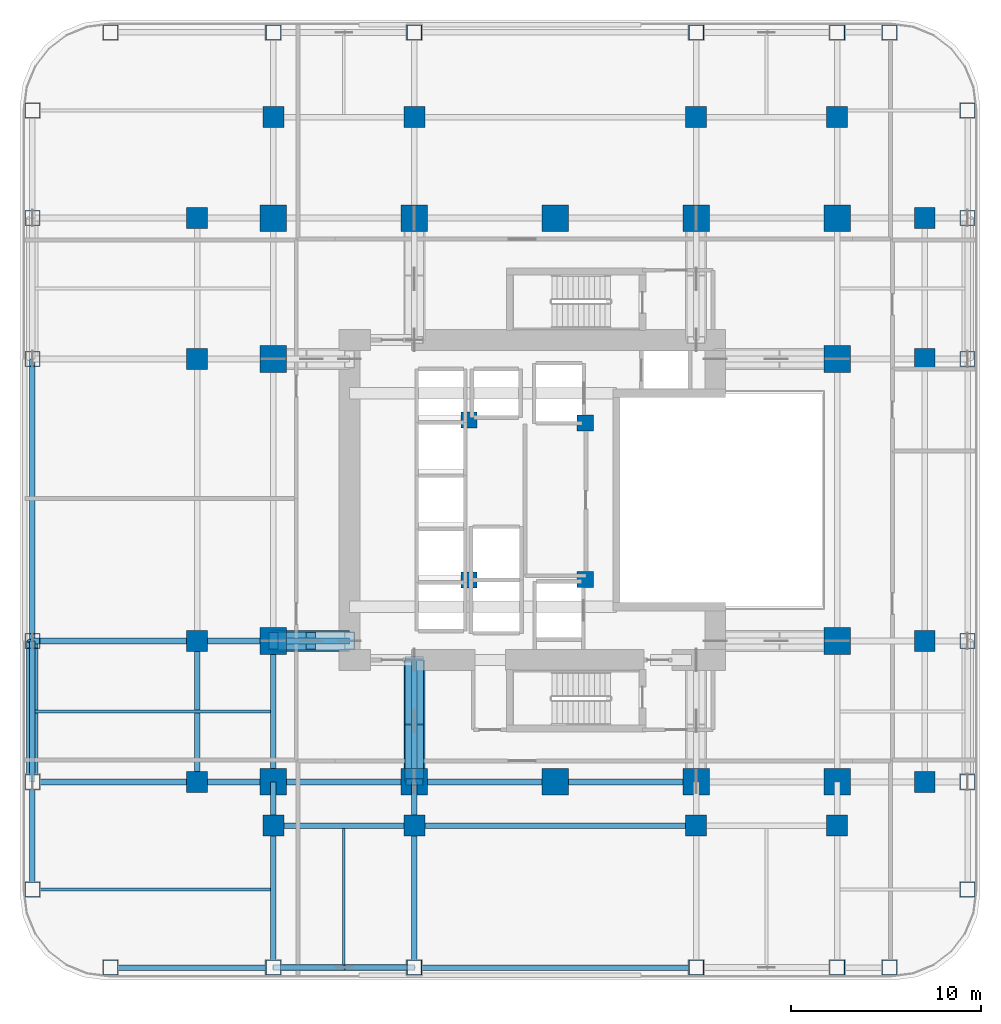
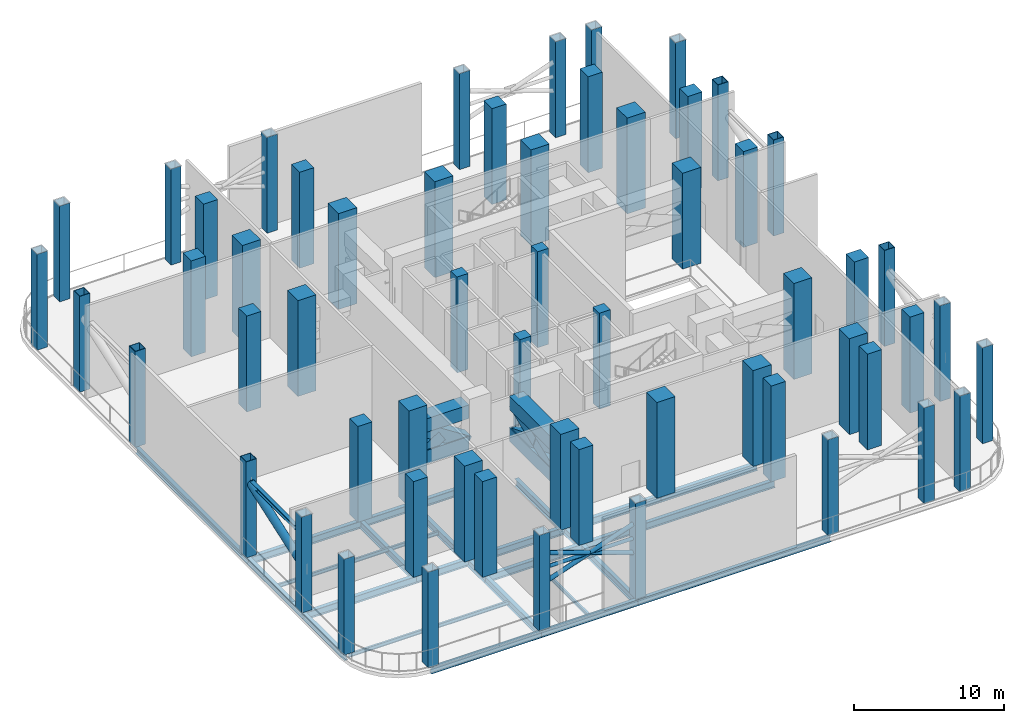
# One storey, part 1 of 11: 58 columns, 26 beams, 15 members.
"""IFC4 building model written with IfcOpenShell, lengths in metres."""

from ifc_helpers import new_model, si_unit, direction, frame, origin, origin_2d, place, context, subcontext, project, spatial, rectangle, hollow_rectangle, hollow_circle, i_section, extrude, material, material_profile, profile_set, type_object, element, save


model = new_model("IFC4")

# Units and contexts
model_context = context("Model", 3, precision=1e-05, world=origin(), true_north=direction((0.0, 1.0)))
body_context = subcontext(model_context, "Body", "Model", "MODEL_VIEW")
ifc_project = project(units=[si_unit("LENGTHUNIT", "METRE"), si_unit("AREAUNIT", "SQUARE_METRE"), si_unit("VOLUMEUNIT", "CUBIC_METRE"), si_unit("PLANEANGLEUNIT", "RADIAN"), si_unit("MASSUNIT", "GRAM", prefix="KILO")], contexts=[model_context])

# Site, building, storey
site_placement = place(None, origin())
site = spatial("IfcSite", under=ifc_project, at=site_placement, CompositionType="ELEMENT")
building_placement = place(site_placement, origin())
building = spatial("IfcBuilding", under=site, at=building_placement, Name="Khorvyn Point Tower", CompositionType="ELEMENT")
storey_placement = place(building_placement, frame((0.0, 0.0, 77.39990234375)))
storey = spatial("IfcBuildingStorey", under=building, at=storey_placement, Name="L20", CompositionType="ELEMENT", Elevation=77.39990234375)

# Columns
ifc_material_1 = material(Name="Concrete C40/50", Category="concrete")
ifc_material_profile_1 = material_profile(ifc_material_1, rectangle(XDim=0.85009765625, YDim=0.85009765625, at=origin_2d()))
ifc_profile_set_1 = profile_set([ifc_material_profile_1], Name="Concrete C40/50 RC850x850")
column_type_1 = type_object("IfcColumnType", Name="Concrete C40/50 Column RC850x850", PredefinedType="COLUMN", material=ifc_profile_set_1)
for number, where, z_axis, x_axis, name in (
    (1, (-4.52001953125, -4.199951171875, 0.0), (0.0, 0.0, 1.0), (1.0, 0.0, 0.0), "L20 Crown Core Spine Column 1"),
    (2, (1.580078125, -4.179931640625, 0.0), (0.0, 0.0, 1.0), (1.0, 0.0, 0.0), "L20 Crown Core Spine Column 2"),
    (3, (1.580078125, 4.050048828125, 0.0), (0.0, 0.0, 1.0), (1.0, 0.0, 0.0), "L20 Crown Core Spine Column 3"),
    (4, (-4.52001953125, 4.199951171875, 0.0), (0.0, 0.0, 1.0), (1.0, 0.0, 0.0), "L20 Crown Core Spine Column 4"),
):
    element("IfcColumn", number, at=place(storey_placement, frame(where, z_axis=z_axis, x_axis=x_axis)), inside=storey, type_object=column_type_1, Name=name, PredefinedType="COLUMN", context=body_context, shape_type="SweptSolid", body=[
        extrude(rectangle(XDim=0.85009765625, YDim=0.85009765625, at=origin_2d()), origin(), (0.0, 0.0, 1.0), 7.800048828125),
    ])
ifc_material_2 = material(Name="Concrete C45/55", Category="concrete")
ifc_material_profile_2 = material_profile(ifc_material_2, rectangle(XDim=1.10009765625, YDim=1.10009765625, at=origin_2d()))
ifc_profile_set_2 = profile_set([ifc_material_profile_2], Name="Concrete C45/55 RC1100x1100")
column_type_2 = type_object("IfcColumnType", Name="Concrete C45/55 Column RC1100x1100", PredefinedType="COLUMN", material=ifc_profile_set_2)
for number, where, z_axis, x_axis, name in (
    (5, (-18.800048828125, -14.800048828125, 0.0), (0.0, 0.0, 1.0), (1.0, 0.0, 0.0), "L20 Intermediate Column ICW--14"),
    (6, (-18.800048828125, -7.39990234375, 0.0), (0.0, 0.0, 1.0), (1.0, 0.0, 0.0), "L20 Intermediate Column ICW--7"),
    (7, (-18.800048828125, 7.39990234375, 0.0), (0.0, 0.0, 1.0), (1.0, 0.0, 0.0), "L20 Intermediate Column ICW-7"),
    (8, (-18.800048828125, 14.800048828125, 0.0), (0.0, 0.0, 1.0), (1.0, 0.0, 0.0), "L20 Intermediate Column ICW-14"),
    (9, (19.39990234375, -14.800048828125, 0.0), (0.0, 0.0, 1.0), (1.0, 0.0, 0.0), "L20 Intermediate Column ICE--14"),
    (10, (19.39990234375, -7.39990234375, 0.0), (0.0, 0.0, 1.0), (1.0, 0.0, 0.0), "L20 Intermediate Column ICE--7"),
    (11, (19.39990234375, 7.39990234375, 0.0), (0.0, 0.0, 1.0), (1.0, 0.0, 0.0), "L20 Intermediate Column ICE-7"),
    (12, (19.39990234375, 14.800048828125, 0.0), (0.0, 0.0, 1.0), (1.0, 0.0, 0.0), "L20 Intermediate Column ICE-14"),
    (13, (-14.800048828125, -17.10009765625, 0.0), (0.0, 0.0, 1.0), (1.0, 0.0, 0.0), "L20 Intermediate Column ICS--14"),
    (14, (-7.39990234375, -17.10009765625, 0.0), (0.0, 0.0, 1.0), (1.0, 0.0, 0.0), "L20 Intermediate Column ICS--7"),
    (15, (7.39990234375, -17.10009765625, 0.0), (0.0, 0.0, 1.0), (1.0, 0.0, 0.0), "L20 Intermediate Column ICS-7"),
    (16, (14.800048828125, -17.10009765625, 0.0), (0.0, 0.0, 1.0), (1.0, 0.0, 0.0), "L20 Intermediate Column ICS-14"),
    (17, (-14.800048828125, 20.10009765625, 0.0), (0.0, 0.0, 1.0), (1.0, 0.0, 0.0), "L20 Intermediate Column ICN--14"),
    (18, (-7.39990234375, 20.10009765625, 0.0), (0.0, 0.0, 1.0), (1.0, 0.0, 0.0), "L20 Intermediate Column ICN--7"),
    (19, (7.39990234375, 20.10009765625, 0.0), (0.0, 0.0, 1.0), (1.0, 0.0, 0.0), "L20 Intermediate Column ICN-7"),
    (20, (14.800048828125, 20.10009765625, 0.0), (0.0, 0.0, 1.0), (1.0, 0.0, 0.0), "L20 Intermediate Column ICN-14"),
):
    element("IfcColumn", number, at=place(storey_placement, frame(where, z_axis=z_axis, x_axis=x_axis)), inside=storey, type_object=column_type_2, Name=name, PredefinedType="COLUMN", context=body_context, shape_type="SweptSolid", body=[
        extrude(rectangle(XDim=1.10009765625, YDim=1.10009765625, at=origin_2d()), origin(), (0.0, 0.0, 1.0), 7.800048828125),
    ])
ifc_material_3 = material(Name="Concrete C50/60", Category="concrete")
ifc_material_profile_3 = material_profile(ifc_material_3, rectangle(XDim=1.39990234375, YDim=1.39990234375, at=origin_2d()))
ifc_profile_set_3 = profile_set([ifc_material_profile_3], Name="Concrete C50/60 RC1400x1400")
column_type_3 = type_object("IfcColumnType", Name="Concrete C50/60 Column RC1400x1400", PredefinedType="COLUMN", material=ifc_profile_set_3)
for number, where, z_axis, x_axis, name in (
    (21, (-14.800048828125, -14.800048828125, 0.0), (0.0, 0.0, 1.0), (1.0, 0.0, 0.0), "L20 Mega-Column MC-01"),
    (22, (-7.39990234375, -14.800048828125, 0.0), (0.0, 0.0, 1.0), (1.0, 0.0, 0.0), "L20 Mega-Column MC-02"),
    (23, (0.0, -14.800048828125, 0.0), (0.0, 0.0, 1.0), (1.0, 0.0, 0.0), "L20 Mega-Column MC-03"),
    (24, (7.39990234375, -14.800048828125, 0.0), (0.0, 0.0, 1.0), (1.0, 0.0, 0.0), "L20 Mega-Column MC-04"),
    (25, (14.800048828125, -14.800048828125, 0.0), (0.0, 0.0, 1.0), (1.0, 0.0, 0.0), "L20 Mega-Column MC-05"),
    (26, (-14.800048828125, 14.800048828125, 0.0), (0.0, 0.0, 1.0), (1.0, 0.0, 0.0), "L20 Mega-Column MC-06"),
    (27, (-7.39990234375, 14.800048828125, 0.0), (0.0, 0.0, 1.0), (1.0, 0.0, 0.0), "L20 Mega-Column MC-07"),
    (28, (0.0, 14.800048828125, 0.0), (0.0, 0.0, 1.0), (1.0, 0.0, 0.0), "L20 Mega-Column MC-08"),
    (29, (7.39990234375, 14.800048828125, 0.0), (0.0, 0.0, 1.0), (1.0, 0.0, 0.0), "L20 Mega-Column MC-09"),
    (30, (14.800048828125, 14.800048828125, 0.0), (0.0, 0.0, 1.0), (1.0, 0.0, 0.0), "L20 Mega-Column MC-10"),
    (31, (-14.800048828125, -7.39990234375, 0.0), (0.0, 0.0, 1.0), (1.0, 0.0, 0.0), "L20 Mega-Column MC-11"),
    (32, (-14.800048828125, 7.39990234375, 0.0), (0.0, 0.0, 1.0), (1.0, 0.0, 0.0), "L20 Mega-Column MC-12"),
    (33, (14.800048828125, -7.39990234375, 0.0), (0.0, 0.0, 1.0), (1.0, 0.0, 0.0), "L20 Mega-Column MC-13"),
    (34, (14.800048828125, 7.39990234375, 0.0), (0.0, 0.0, 1.0), (1.0, 0.0, 0.0), "L20 Mega-Column MC-14"),
):
    element("IfcColumn", number, at=place(storey_placement, frame(where, z_axis=z_axis, x_axis=x_axis)), inside=storey, type_object=column_type_3, Name=name, PredefinedType="COLUMN", context=body_context, shape_type="SweptSolid", body=[
        extrude(rectangle(XDim=1.39990234375, YDim=1.39990234375, at=origin_2d()), origin(), (0.0, 0.0, 1.0), 7.800048828125),
    ])
ifc_material_4 = material(Name="Steel S450", Category="steel")
ifc_material_profile_4 = material_profile(ifc_material_4, hollow_rectangle(XDim=0.800048828125, YDim=0.800048828125, WallThickness=0.035888671875, at=origin_2d()))
ifc_profile_set_4 = profile_set([ifc_material_profile_4], Name="Steel S450 BOX800x800x36")
column_type_4 = type_object("IfcColumnType", Name="Steel S450 Structural Column BOX800x800x36", PredefinedType="COLUMN", material=ifc_profile_set_4)
for number, where, z_axis, x_axis, name in (
    (35, (-23.35009765625, -24.550048828125, 0.0), (0.0, 0.0, 1.0), (1.0, 0.0, 0.0), "L20 Perimeter Tube Column TC-01"),
    (36, (17.550048828125, -24.550048828125, 0.0), (0.0, 0.0, 1.0), (1.0, 0.0, 0.0), "L20 Perimeter Tube Column TC-02"),
    (37, (-23.35009765625, 24.550048828125, 0.0), (0.0, 0.0, 1.0), (1.0, 0.0, 0.0), "L20 Perimeter Tube Column TC-03"),
    (38, (17.550048828125, 24.550048828125, 0.0), (0.0, 0.0, 1.0), (1.0, 0.0, 0.0), "L20 Perimeter Tube Column TC-04"),
    (39, (-27.449951171875, -20.449951171875, 0.0), (0.0, 0.0, 1.0), (1.0, 0.0, 0.0), "L20 Perimeter Tube Column TC-05"),
    (40, (-27.449951171875, 20.449951171875, 0.0), (0.0, 0.0, 1.0), (1.0, 0.0, 0.0), "L20 Perimeter Tube Column TC-06"),
    (41, (21.64990234375, -20.449951171875, 0.0), (0.0, 0.0, 1.0), (1.0, 0.0, 0.0), "L20 Perimeter Tube Column TC-07"),
    (42, (21.64990234375, 20.449951171875, 0.0), (0.0, 0.0, 1.0), (1.0, 0.0, 0.0), "L20 Perimeter Tube Column TC-08"),
    (43, (-14.800048828125, -24.550048828125, 0.0), (0.0, 0.0, 1.0), (1.0, 0.0, 0.0), "L20 Perimeter Tube Column TC-09"),
    (44, (-14.800048828125, 24.550048828125, 0.0), (0.0, 0.0, 1.0), (1.0, 0.0, 0.0), "L20 Perimeter Tube Column TC-10"),
    (45, (-7.39990234375, -24.550048828125, 0.0), (0.0, 0.0, 1.0), (1.0, 0.0, 0.0), "L20 Perimeter Tube Column TC-11"),
    (46, (-7.39990234375, 24.550048828125, 0.0), (0.0, 0.0, 1.0), (1.0, 0.0, 0.0), "L20 Perimeter Tube Column TC-12"),
    (47, (7.39990234375, -24.550048828125, 0.0), (0.0, 0.0, 1.0), (1.0, 0.0, 0.0), "L20 Perimeter Tube Column TC-13"),
    (48, (7.39990234375, 24.550048828125, 0.0), (0.0, 0.0, 1.0), (1.0, 0.0, 0.0), "L20 Perimeter Tube Column TC-14"),
    (49, (14.800048828125, -24.550048828125, 0.0), (0.0, 0.0, 1.0), (1.0, 0.0, 0.0), "L20 Perimeter Tube Column TC-15"),
    (50, (14.800048828125, 24.550048828125, 0.0), (0.0, 0.0, 1.0), (1.0, 0.0, 0.0), "L20 Perimeter Tube Column TC-16"),
    (51, (-27.449951171875, -14.800048828125, 0.0), (0.0, 0.0, 1.0), (1.0, 0.0, 0.0), "L20 Perimeter Tube Column TC-17"),
    (52, (21.64990234375, -14.800048828125, 0.0), (0.0, 0.0, 1.0), (1.0, 0.0, 0.0), "L20 Perimeter Tube Column TC-18"),
    (53, (-27.449951171875, -7.39990234375, 0.0), (0.0, 0.0, 1.0), (1.0, 0.0, 0.0), "L20 Perimeter Tube Column TC-19"),
    (54, (21.64990234375, -7.39990234375, 0.0), (0.0, 0.0, 1.0), (1.0, 0.0, 0.0), "L20 Perimeter Tube Column TC-20"),
    (55, (-27.449951171875, 7.39990234375, 0.0), (0.0, 0.0, 1.0), (1.0, 0.0, 0.0), "L20 Perimeter Tube Column TC-21"),
    (56, (21.64990234375, 7.39990234375, 0.0), (0.0, 0.0, 1.0), (1.0, 0.0, 0.0), "L20 Perimeter Tube Column TC-22"),
    (57, (-27.449951171875, 14.800048828125, 0.0), (0.0, 0.0, 1.0), (1.0, 0.0, 0.0), "L20 Perimeter Tube Column TC-23"),
    (58, (21.64990234375, 14.800048828125, 0.0), (0.0, 0.0, 1.0), (1.0, 0.0, 0.0), "L20 Perimeter Tube Column TC-24"),
):
    element("IfcColumn", number, at=place(storey_placement, frame(where, z_axis=z_axis, x_axis=x_axis)), inside=storey, type_object=column_type_4, Name=name, PredefinedType="COLUMN", context=body_context, shape_type="SweptSolid", body=[
        extrude(hollow_rectangle(XDim=0.800048828125, YDim=0.800048828125, WallThickness=0.035888671875, at=origin_2d()), origin(), (0.0, 0.0, 1.0), 7.800048828125),
    ])

# Beams
ifc_material_5 = material(Name="Steel S355", Category="steel")
ifc_material_profile_5 = material_profile(ifc_material_5, i_section(OverallWidth=0.300048828125, OverallDepth=0.587890625, WebThickness=0.011962890625, FlangeThickness=0.02001953125, at=origin_2d()))
ifc_profile_set_5 = profile_set([ifc_material_profile_5], Name="Steel S355 H588x300x12x20")
beam_type_1 = type_object("IfcBeamType", Name="Steel S355 Beam H588x300x12x20", PredefinedType="BEAM", material=ifc_profile_set_5)
beam_1_placement = place(storey_placement, frame((-27.449951171875, -14.800048828125, -0.593994140625), z_axis=(1.0, 0.0, 0.0), x_axis=(0.0, 1.0, 0.0)))
element("IfcBeam", 59, at=beam_1_placement, inside=storey, type_object=beam_type_1, Name="Beam", PredefinedType="BEAM", context=body_context, shape_type="SweptSolid", body=[
    extrude(i_section(OverallWidth=0.300048828125, OverallDepth=0.587890625, WebThickness=0.011962890625, FlangeThickness=0.02001953125, at=origin_2d()), origin(), (0.0, 0.0, 1.0), 8.64990234375),
])
beam_2_placement = place(storey_placement, frame((-18.800048828125, -14.800048828125, -0.593994140625), z_axis=(1.0, 0.0, 0.0), x_axis=(0.0, 1.0, 0.0)))
element("IfcBeam", 60, at=beam_2_placement, inside=storey, type_object=beam_type_1, Name="Beam", PredefinedType="BEAM", context=body_context, shape_type="SweptSolid", body=[
    extrude(i_section(OverallWidth=0.300048828125, OverallDepth=0.587890625, WebThickness=0.011962890625, FlangeThickness=0.02001953125, at=origin_2d()), origin(), (0.0, 0.0, 1.0), 4.0),
])
beam_3_placement = place(storey_placement, frame((-14.800048828125, -14.800048828125, -0.593994140625), z_axis=(1.0, 0.0, 0.0), x_axis=(0.0, 1.0, 0.0)))
element("IfcBeam", 61, at=beam_3_placement, inside=storey, type_object=beam_type_1, Name="Beam", PredefinedType="BEAM", context=body_context, shape_type="SweptSolid", body=[
    extrude(i_section(OverallWidth=0.300048828125, OverallDepth=0.587890625, WebThickness=0.011962890625, FlangeThickness=0.02001953125, at=origin_2d()), origin(), (0.0, 0.0, 1.0), 7.400146484375),
])
for number, where, z_axis, x_axis, name in (
    (62, (-7.39990234375, -14.800048828125, -0.593994140625), (1.0, 0.0, 0.0), (0.0, 1.0, 0.0), "Beam"),
    (63, (0.0, -14.800048828125, -0.593994140625), (1.0, 0.0, 0.0), (0.0, 1.0, 0.0), "Beam"),
):
    element("IfcBeam", number, at=place(storey_placement, frame(where, z_axis=z_axis, x_axis=x_axis)), inside=storey, type_object=beam_type_1, Name=name, PredefinedType="BEAM", context=body_context, shape_type="SweptSolid", body=[
        extrude(i_section(OverallWidth=0.300048828125, OverallDepth=0.587890625, WebThickness=0.011962890625, FlangeThickness=0.02001953125, at=origin_2d()), origin(), (0.0, 0.0, 1.0), 7.39990234375),
    ])
beam_4_placement = place(storey_placement, frame((-27.449951171875, -7.39990234375, -0.593994140625), z_axis=(1.0, 0.0, 0.0), x_axis=(0.0, 1.0, 0.0)))
element("IfcBeam", 64, at=beam_4_placement, inside=storey, type_object=beam_type_1, Name="Beam", PredefinedType="BEAM", context=body_context, shape_type="SweptSolid", body=[
    extrude(i_section(OverallWidth=0.300048828125, OverallDepth=0.587890625, WebThickness=0.011962890625, FlangeThickness=0.02001953125, at=origin_2d()), origin(), (0.0, 0.0, 1.0), 8.64990234375),
])
for number, where, z_axis, x_axis, name in (
    (65, (-18.800048828125, -7.39990234375, -0.593994140625), (1.0, 0.0, 0.0), (0.0, 1.0, 0.0), "Beam"),
    (66, (-14.800048828125, -7.39990234375, -0.593994140625), (1.0, 0.0, 0.0), (0.0, 1.0, 0.0), "Beam"),
):
    element("IfcBeam", number, at=place(storey_placement, frame(where, z_axis=z_axis, x_axis=x_axis)), inside=storey, type_object=beam_type_1, Name=name, PredefinedType="BEAM", context=body_context, shape_type="SweptSolid", body=[
        extrude(i_section(OverallWidth=0.300048828125, OverallDepth=0.587890625, WebThickness=0.011962890625, FlangeThickness=0.02001953125, at=origin_2d()), origin(), (0.0, 0.0, 1.0), 4.0),
    ])
beam_5_placement = place(storey_placement, frame((-14.800048828125, -17.10009765625, -0.593994140625), z_axis=(1.0, 0.0, 0.0), x_axis=(0.0, 1.0, 0.0)))
element("IfcBeam", 67, at=beam_5_placement, inside=storey, type_object=beam_type_1, Name="Beam", PredefinedType="BEAM", context=body_context, shape_type="SweptSolid", body=[
    extrude(i_section(OverallWidth=0.300048828125, OverallDepth=0.587890625, WebThickness=0.011962890625, FlangeThickness=0.02001953125, at=origin_2d()), origin(), (0.0, 0.0, 1.0), 7.400146484375),
])
beam_6_placement = place(storey_placement, frame((-7.39990234375, -17.10009765625, -0.593994140625), z_axis=(1.0, 0.0, 0.0), x_axis=(0.0, 1.0, 0.0)))
element("IfcBeam", 68, at=beam_6_placement, inside=storey, type_object=beam_type_1, Name="Beam", PredefinedType="BEAM", context=body_context, shape_type="SweptSolid", body=[
    extrude(i_section(OverallWidth=0.300048828125, OverallDepth=0.587890625, WebThickness=0.011962890625, FlangeThickness=0.02001953125, at=origin_2d()), origin(), (0.0, 0.0, 1.0), 14.7998046875),
])
beam_7_placement = place(storey_placement, frame((-14.800048828125, -24.550048828125, -0.593994140625), z_axis=(0.0, 1.0, 0.0), x_axis=(-1.0, 0.0, 0.0)))
element("IfcBeam", 69, at=beam_7_placement, inside=storey, type_object=beam_type_1, Name="Beam", PredefinedType="BEAM", context=body_context, shape_type="SweptSolid", body=[
    extrude(i_section(OverallWidth=0.300048828125, OverallDepth=0.587890625, WebThickness=0.011962890625, FlangeThickness=0.02001953125, at=origin_2d()), origin(), (0.0, 0.0, 1.0), 7.449951171875),
])
beam_8_placement = place(storey_placement, frame((-14.800048828125, -17.10009765625, -0.593994140625), z_axis=(0.0, 1.0, 0.0), x_axis=(-1.0, 0.0, 0.0)))
element("IfcBeam", 70, at=beam_8_placement, inside=storey, type_object=beam_type_1, Name="Beam", PredefinedType="BEAM", context=body_context, shape_type="SweptSolid", body=[
    extrude(i_section(OverallWidth=0.300048828125, OverallDepth=0.587890625, WebThickness=0.011962890625, FlangeThickness=0.02001953125, at=origin_2d()), origin(), (0.0, 0.0, 1.0), 2.300048828125),
])
beam_9_placement = place(storey_placement, frame((-14.800048828125, -14.800048828125, -0.593994140625), z_axis=(0.0, 1.0, 0.0), x_axis=(-1.0, 0.0, 0.0)))
element("IfcBeam", 71, at=beam_9_placement, inside=storey, type_object=beam_type_1, Name="Beam", PredefinedType="BEAM", context=body_context, shape_type="SweptSolid", body=[
    extrude(i_section(OverallWidth=0.300048828125, OverallDepth=0.587890625, WebThickness=0.011962890625, FlangeThickness=0.02001953125, at=origin_2d()), origin(), (0.0, 0.0, 1.0), 7.400146484375),
])
beam_10_placement = place(storey_placement, frame((-7.39990234375, -24.550048828125, -0.593994140625), z_axis=(0.0, 1.0, 0.0), x_axis=(-1.0, 0.0, 0.0)))
element("IfcBeam", 72, at=beam_10_placement, inside=storey, type_object=beam_type_1, Name="Beam", PredefinedType="BEAM", context=body_context, shape_type="SweptSolid", body=[
    extrude(i_section(OverallWidth=0.300048828125, OverallDepth=0.587890625, WebThickness=0.011962890625, FlangeThickness=0.02001953125, at=origin_2d()), origin(), (0.0, 0.0, 1.0), 7.449951171875),
])
beam_11_placement = place(storey_placement, frame((-7.39990234375, -17.10009765625, -0.593994140625), z_axis=(0.0, 1.0, 0.0), x_axis=(-1.0, 0.0, 0.0)))
element("IfcBeam", 73, at=beam_11_placement, inside=storey, type_object=beam_type_1, Name="Beam", PredefinedType="BEAM", context=body_context, shape_type="SweptSolid", body=[
    extrude(i_section(OverallWidth=0.300048828125, OverallDepth=0.587890625, WebThickness=0.011962890625, FlangeThickness=0.02001953125, at=origin_2d()), origin(), (0.0, 0.0, 1.0), 2.300048828125),
])
beam_12_placement = place(storey_placement, frame((-7.39990234375, -14.800048828125, -0.593994140625), z_axis=(0.0, 1.0, 0.0), x_axis=(-1.0, 0.0, 0.0)))
element("IfcBeam", 74, at=beam_12_placement, inside=storey, type_object=beam_type_1, Name="Beam", PredefinedType="BEAM", context=body_context, shape_type="SweptSolid", body=[
    extrude(i_section(OverallWidth=0.300048828125, OverallDepth=0.587890625, WebThickness=0.011962890625, FlangeThickness=0.02001953125, at=origin_2d()), origin(), (0.0, 0.0, 1.0), 6.400146484375),
])
beam_13_placement = place(storey_placement, frame((-18.800048828125, -14.800048828125, -0.593994140625), z_axis=(0.0, 1.0, 0.0), x_axis=(-1.0, 0.0, 0.0)))
element("IfcBeam", 75, at=beam_13_placement, inside=storey, type_object=beam_type_1, Name="Beam", PredefinedType="BEAM", context=body_context, shape_type="SweptSolid", body=[
    extrude(i_section(OverallWidth=0.300048828125, OverallDepth=0.587890625, WebThickness=0.011962890625, FlangeThickness=0.02001953125, at=origin_2d()), origin(), (0.0, 0.0, 1.0), 7.400146484375),
])
ifc_material_profile_6 = material_profile(ifc_material_5, i_section(OverallWidth=0.14990234375, OverallDepth=0.300048828125, WebThickness=0.006591796875, FlangeThickness=0.009033203125, at=origin_2d()))
ifc_profile_set_6 = profile_set([ifc_material_profile_6], Name="Steel S355 H300x150x6.5x9")
beam_type_2 = type_object("IfcBeamType", Name="Steel S355 Joist H300x150x6.5x9", PredefinedType="JOIST", material=ifc_profile_set_6)
beam_14_placement = place(storey_placement, frame((-27.300048828125, -11.10009765625, -0.449951171875), z_axis=(1.0, 0.0, 0.0), x_axis=(0.0, 1.0, 0.0)))
element("IfcBeam", 76, at=beam_14_placement, inside=storey, type_object=beam_type_2, Name="Beam", PredefinedType="JOIST", context=body_context, shape_type="SweptSolid", body=[
    extrude(i_section(OverallWidth=0.14990234375, OverallDepth=0.300048828125, WebThickness=0.006591796875, FlangeThickness=0.009033203125, at=origin_2d()), origin(), (0.0, 0.0, 1.0), 12.35009765625),
])
beam_15_placement = place(storey_placement, frame((-11.10009765625, -24.39990234375, -0.449951171875), z_axis=(0.0, 1.0, 0.0), x_axis=(-1.0, 0.0, 0.0)))
element("IfcBeam", 77, at=beam_15_placement, inside=storey, type_object=beam_type_2, Name="Beam", PredefinedType="JOIST", context=body_context, shape_type="SweptSolid", body=[
    extrude(i_section(OverallWidth=0.14990234375, OverallDepth=0.300048828125, WebThickness=0.006591796875, FlangeThickness=0.009033203125, at=origin_2d()), origin(), (0.0, 0.0, 1.0), 7.14990234375),
])
beam_16_placement = place(storey_placement, frame((-27.300048828125, -20.449951171875, -0.449951171875), z_axis=(1.0, 0.0, 0.0), x_axis=(0.0, 1.0, 0.0)))
element("IfcBeam", 78, at=beam_16_placement, inside=storey, type_object=beam_type_2, Name="Beam", PredefinedType="JOIST", context=body_context, shape_type="SweptSolid", body=[
    extrude(i_section(OverallWidth=0.14990234375, OverallDepth=0.300048828125, WebThickness=0.006591796875, FlangeThickness=0.009033203125, at=origin_2d()), origin(), (0.0, 0.0, 1.0), 12.35009765625),
])
ifc_material_profile_7 = material_profile(ifc_material_5, i_section(OverallWidth=0.300048828125, OverallDepth=0.488037109375, WebThickness=0.010986328125, FlangeThickness=0.01806640625, at=origin_2d()))
ifc_profile_set_7 = profile_set([ifc_material_profile_7], Name="Steel S355 H488x300x11x18")
beam_type_3 = type_object("IfcBeamType", Name="Steel S355 Spandrel H488x300x11x18", PredefinedType="SPANDREL", material=ifc_profile_set_7)
beam_17_placement = place(storey_placement, frame((-23.35009765625, -24.550048828125, -0.5439453125), z_axis=(1.0, 0.0, 0.0), x_axis=(0.0, 1.0, 0.0)))
element("IfcBeam", 79, at=beam_17_placement, inside=storey, type_object=beam_type_3, Name="Beam", PredefinedType="SPANDREL", context=body_context, shape_type="SweptSolid", body=[
    extrude(i_section(OverallWidth=0.300048828125, OverallDepth=0.488037109375, WebThickness=0.010986328125, FlangeThickness=0.01806640625, at=origin_2d()), origin(), (0.0, 0.0, 1.0), 8.550048828125),
])
beam_18_placement = place(storey_placement, frame((-14.800048828125, -24.550048828125, -0.5439453125), z_axis=(1.0, 0.0, 0.0), x_axis=(0.0, 1.0, 0.0)))
element("IfcBeam", 80, at=beam_18_placement, inside=storey, type_object=beam_type_3, Name="Beam", PredefinedType="SPANDREL", context=body_context, shape_type="SweptSolid", body=[
    extrude(i_section(OverallWidth=0.300048828125, OverallDepth=0.488037109375, WebThickness=0.010986328125, FlangeThickness=0.01806640625, at=origin_2d()), origin(), (0.0, 0.0, 1.0), 7.400146484375),
])
beam_19_placement = place(storey_placement, frame((-7.39990234375, -24.550048828125, -0.5439453125), z_axis=(1.0, 0.0, 0.0), x_axis=(0.0, 1.0, 0.0)))
element("IfcBeam", 81, at=beam_19_placement, inside=storey, type_object=beam_type_3, Name="Beam", PredefinedType="SPANDREL", context=body_context, shape_type="SweptSolid", body=[
    extrude(i_section(OverallWidth=0.300048828125, OverallDepth=0.488037109375, WebThickness=0.010986328125, FlangeThickness=0.01806640625, at=origin_2d()), origin(), (0.0, 0.0, 1.0), 14.7998046875),
])
beam_20_placement = place(storey_placement, frame((-27.449951171875, -20.449951171875, -0.5439453125), z_axis=(0.0, 1.0, 0.0), x_axis=(-1.0, 0.0, 0.0)))
element("IfcBeam", 82, at=beam_20_placement, inside=storey, type_object=beam_type_3, Name="Beam", PredefinedType="SPANDREL", context=body_context, shape_type="SweptSolid", body=[
    extrude(i_section(OverallWidth=0.300048828125, OverallDepth=0.488037109375, WebThickness=0.010986328125, FlangeThickness=0.01806640625, at=origin_2d()), origin(), (0.0, 0.0, 1.0), 5.64990234375),
])
beam_21_placement = place(storey_placement, frame((-27.449951171875, -14.800048828125, -0.5439453125), z_axis=(0.0, 1.0, 0.0), x_axis=(-1.0, 0.0, 0.0)))
element("IfcBeam", 83, at=beam_21_placement, inside=storey, type_object=beam_type_3, Name="Beam", PredefinedType="SPANDREL", context=body_context, shape_type="SweptSolid", body=[
    extrude(i_section(OverallWidth=0.300048828125, OverallDepth=0.488037109375, WebThickness=0.010986328125, FlangeThickness=0.01806640625, at=origin_2d()), origin(), (0.0, 0.0, 1.0), 7.400146484375),
])
beam_22_placement = place(storey_placement, frame((-27.449951171875, -7.39990234375, -0.5439453125), z_axis=(0.0, 1.0, 0.0), x_axis=(-1.0, 0.0, 0.0)))
element("IfcBeam", 84, at=beam_22_placement, inside=storey, type_object=beam_type_3, Name="Beam", PredefinedType="SPANDREL", context=body_context, shape_type="SweptSolid", body=[
    extrude(i_section(OverallWidth=0.300048828125, OverallDepth=0.488037109375, WebThickness=0.010986328125, FlangeThickness=0.01806640625, at=origin_2d()), origin(), (0.0, 0.0, 1.0), 14.7998046875),
])

# Members
ifc_material_profile_8 = material_profile(ifc_material_5, hollow_circle(Radius=0.161865234375, WallThickness=0.012451171875, at=origin_2d()))
ifc_profile_set_8 = profile_set([ifc_material_profile_8], Name="Steel S355 CHS323.9x12.5")
member_type_1 = type_object("IfcMemberType", Name="Steel S355 Truss Brace CHS323.9x12.5", PredefinedType="BRACE", material=ifc_profile_set_8)
member_1_placement = place(storey_placement, frame((-14.800048828125, -24.550048828125, 3.4501953125), z_axis=(0.944660653233, 0.0, 0.328049158257), x_axis=(0.0, 1.0, 0.0)))
element("IfcMember", 85, at=member_1_placement, inside=storey, type_object=member_type_1, Name="BT-BR1-L20-S1", PredefinedType="BRACE", context=body_context, shape_type="SweptSolid", body=[
    extrude(hollow_circle(Radius=0.161865234375, WallThickness=0.012451171875, at=origin_2d()), origin(), (0.0, 0.0, 1.0), 7.833740234375),
])
member_2_placement = place(storey_placement, frame((-14.800048828125, -24.550048828125, 6.02001953125), z_axis=(0.944900331144, 0.0, -0.327358158909), x_axis=(0.0, 1.0, 0.0)))
element("IfcMember", 86, at=member_2_placement, inside=storey, type_object=member_type_1, Name="BT-BR2A-L20-S1", PredefinedType="BRACE", context=body_context, shape_type="SweptSolid", body=[
    extrude(hollow_circle(Radius=0.161865234375, WallThickness=0.012451171875, at=origin_2d()), origin(), (0.0, 0.0, 1.0), 3.89453125),
])
member_3_placement = place(storey_placement, frame((-11.080078125, -24.550048828125, 4.72509765625), z_axis=(0.944907048433, 0.0, -0.3273387692), x_axis=(0.0, 1.0, 0.0)))
element("IfcMember", 87, at=member_3_placement, inside=storey, type_object=member_type_1, Name="BT-BR2B-L20-S1", PredefinedType="BRACE", context=body_context, shape_type="SweptSolid", body=[
    extrude(hollow_circle(Radius=0.161865234375, WallThickness=0.012451171875, at=origin_2d()), origin(), (0.0, 0.0, 1.0), 3.894775390625),
])
ifc_material_profile_9 = material_profile(ifc_material_5, hollow_circle(Radius=0.136474609375, WallThickness=0.010009765625, at=origin_2d()))
ifc_profile_set_9 = profile_set([ifc_material_profile_9], Name="Steel S355 CHS273x10")
member_type_2 = type_object("IfcMemberType", Name="Steel S355 Truss Chord CHS273x10", PredefinedType="CHORD", material=ifc_profile_set_9)
member_4_placement = place(storey_placement, frame((-14.800048828125, -24.550048828125, 4.735107421875), z_axis=(1.0, 0.0, 0.0), x_axis=(0.0, 1.0, 0.0)))
element("IfcMember", 88, at=member_4_placement, inside=storey, type_object=member_type_2, Name="L20 Belt Truss Chord", PredefinedType="CHORD", context=body_context, shape_type="SweptSolid", body=[
    extrude(hollow_circle(Radius=0.136474609375, WallThickness=0.010009765625, at=origin_2d()), origin(), (0.0, 0.0, 1.0), 7.400146484375),
])
ifc_material_profile_10 = material_profile(ifc_material_5, i_section(OverallWidth=0.300048828125, OverallDepth=0.300048828125, WebThickness=0.010009765625, FlangeThickness=0.014892578125, at=origin_2d()))
ifc_profile_set_10 = profile_set([ifc_material_profile_10], Name="Steel S355 H300x300x10x15")
member_type_3 = type_object("IfcMemberType", Name="Steel S355 Truss Chord H300x300x10x15", PredefinedType="CHORD", material=ifc_profile_set_10)
member_5_placement = place(storey_placement, frame((-27.449951171875, -14.800048828125, 6.02001953125), z_axis=(0.0, 1.0, 0.0), x_axis=(-1.0, 0.0, 0.0)))
element("IfcMember", 89, at=member_5_placement, inside=storey, type_object=member_type_3, Name="EXO-CH1-L20-W1", PredefinedType="CHORD", context=body_context, shape_type="SweptSolid", body=[
    extrude(i_section(OverallWidth=0.300048828125, OverallDepth=0.300048828125, WebThickness=0.010009765625, FlangeThickness=0.014892578125, at=origin_2d()), origin(), (0.0, 0.0, 1.0), 7.400146484375),
])
ifc_material_profile_11 = material_profile(ifc_material_4, hollow_rectangle(XDim=0.949951171875, YDim=0.949951171875, WallThickness=0.0400390625, at=origin_2d()))
ifc_profile_set_11 = profile_set([ifc_material_profile_11], Name="Steel S450 BOX950x950x40")
member_type_4 = type_object("IfcMemberType", Name="Steel S450 Truss Brace BOX950x950x40", PredefinedType="BRACE", material=ifc_profile_set_11)
member_6_placement = place(storey_placement, frame((-10.800048828125, -7.39990234375, 3.4501953125), z_axis=(-0.841331937821, 0.0, 0.540518797455), x_axis=(0.0, -1.0, 0.0)))
element("IfcMember", 90, at=member_6_placement, inside=storey, type_object=member_type_4, Name="OT-BR1-L20-WS", PredefinedType="BRACE", context=body_context, shape_type="SweptSolid", body=[
    extrude(hollow_rectangle(XDim=0.949951171875, YDim=0.949951171875, WallThickness=0.0400390625, at=origin_2d()), origin(), (0.0, 0.0, 1.0), 4.75439453125),
])
member_7_placement = place(storey_placement, frame((-12.824951171875, -7.39990234375, 4.718994140625), z_axis=(-0.841354140938, 0.0, -0.54048423615), x_axis=(0.0, -1.0, 0.0)))
element("IfcMember", 91, at=member_7_placement, inside=storey, type_object=member_type_4, Name="OT-BR2B-L20-WS", PredefinedType="BRACE", context=body_context, shape_type="SweptSolid", body=[
    extrude(hollow_rectangle(XDim=0.949951171875, YDim=0.949951171875, WallThickness=0.0400390625, at=origin_2d()), origin(), (0.0, 0.0, 1.0), 2.347412109375),
])
member_8_placement = place(storey_placement, frame((-7.39990234375, -8.39990234375, 3.4501953125), z_axis=(0.0, -0.927987624928, 0.372611014304), x_axis=(1.0, 0.0, 0.0)))
element("IfcMember", 92, at=member_8_placement, inside=storey, type_object=member_type_4, Name="OT-BR1-L20-SW", PredefinedType="BRACE", context=body_context, shape_type="SweptSolid", body=[
    extrude(hollow_rectangle(XDim=0.949951171875, YDim=0.949951171875, WallThickness=0.0400390625, at=origin_2d()), origin(), (0.0, 0.0, 1.0), 6.896728515625),
])
for number, where, z_axis, x_axis, name in (
    (93, (-7.39990234375, -8.39990234375, 6.02001953125), (0.0, -0.927983765993, -0.372620624838), (1.0, 0.0, 0.0), "OT-BR2A-L20-SW"),
    (94, (-7.39990234375, -11.625, 4.72509765625), (0.0, -0.927983765993, -0.372620624838), (1.0, 0.0, 0.0), "OT-BR2B-L20-SW"),
):
    element("IfcMember", number, at=place(storey_placement, frame(where, z_axis=z_axis, x_axis=x_axis)), inside=storey, type_object=member_type_4, Name=name, PredefinedType="BRACE", context=body_context, shape_type="SweptSolid", body=[
        extrude(hollow_rectangle(XDim=0.949951171875, YDim=0.949951171875, WallThickness=0.0400390625, at=origin_2d()), origin(), (0.0, 0.0, 1.0), 3.42138671875),
    ])
ifc_material_profile_12 = material_profile(ifc_material_4, hollow_circle(Radius=0.3046875, WallThickness=0.02490234375, at=origin_2d()))
ifc_profile_set_12 = profile_set([ifc_material_profile_12], Name="Steel S450 CHS609.6x25")
member_type_5 = type_object("IfcMemberType", Name="Steel S450 Truss Brace CHS609.6x25", PredefinedType="BRACE", material=ifc_profile_set_12)
member_9_placement = place(storey_placement, frame((-27.449951171875, -14.800048828125, 3.4501953125), z_axis=(0.0, 0.944660653233, 0.328049158257), x_axis=(-1.0, 0.0, 0.0)))
element("IfcMember", 95, at=member_9_placement, inside=storey, type_object=member_type_5, Name="EXO-BR1-L20-W1", PredefinedType="BRACE", context=body_context, shape_type="SweptSolid", body=[
    extrude(hollow_circle(Radius=0.3046875, WallThickness=0.02490234375, at=origin_2d()), origin(), (0.0, 0.0, 1.0), 7.833740234375),
])
ifc_material_profile_13 = material_profile(ifc_material_4, hollow_rectangle(XDim=1.10009765625, YDim=1.10009765625, WallThickness=0.044921875, at=origin_2d()))
ifc_profile_set_13 = profile_set([ifc_material_profile_13], Name="Steel S450 BOX1100x1100x45")
member_type_6 = type_object("IfcMemberType", Name="Steel S450 Truss Chord BOX1100x1100x45", PredefinedType="CHORD", material=ifc_profile_set_13)
for number, where, z_axis, x_axis, name in (
    (96, (-10.800048828125, -7.39990234375, 3.4501953125), (-1.0, 0.0, 0.0), (0.0, -1.0, 0.0), "L20 Outrigger Truss Chord"),
    (97, (-10.800048828125, -7.39990234375, 6.02001953125), (-1.0, 0.0, 0.0), (0.0, -1.0, 0.0), "L20 Outrigger Truss Chord"),
):
    element("IfcMember", number, at=place(storey_placement, frame(where, z_axis=z_axis, x_axis=x_axis)), inside=storey, type_object=member_type_6, Name=name, PredefinedType="CHORD", context=body_context, shape_type="SweptSolid", body=[
        extrude(hollow_rectangle(XDim=1.10009765625, YDim=1.10009765625, WallThickness=0.044921875, at=origin_2d()), origin(), (0.0, 0.0, 1.0), 4.0),
    ])
for number, where, z_axis, x_axis, name in (
    (98, (-7.39990234375, -8.39990234375, 3.4501953125), (0.0, -1.0, 0.0), (1.0, 0.0, 0.0), "L20 Outrigger Truss Chord"),
    (99, (-7.39990234375, -8.39990234375, 6.02001953125), (0.0, -1.0, 0.0), (1.0, 0.0, 0.0), "L20 Outrigger Truss Chord"),
):
    element("IfcMember", number, at=place(storey_placement, frame(where, z_axis=z_axis, x_axis=x_axis)), inside=storey, type_object=member_type_6, Name=name, PredefinedType="CHORD", context=body_context, shape_type="SweptSolid", body=[
        extrude(hollow_rectangle(XDim=1.10009765625, YDim=1.10009765625, WallThickness=0.044921875, at=origin_2d()), origin(), (0.0, 0.0, 1.0), 6.400146484375),
    ])

save(model, "model.ifc")
